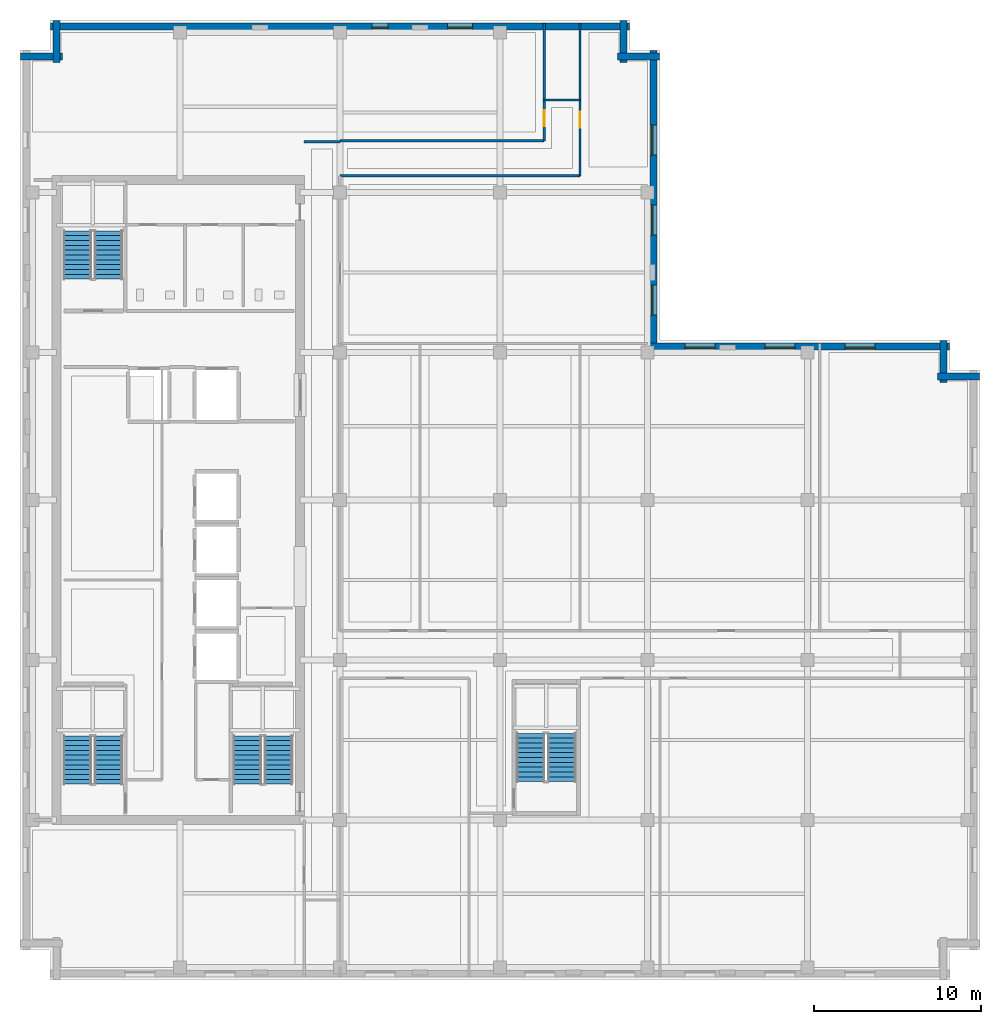
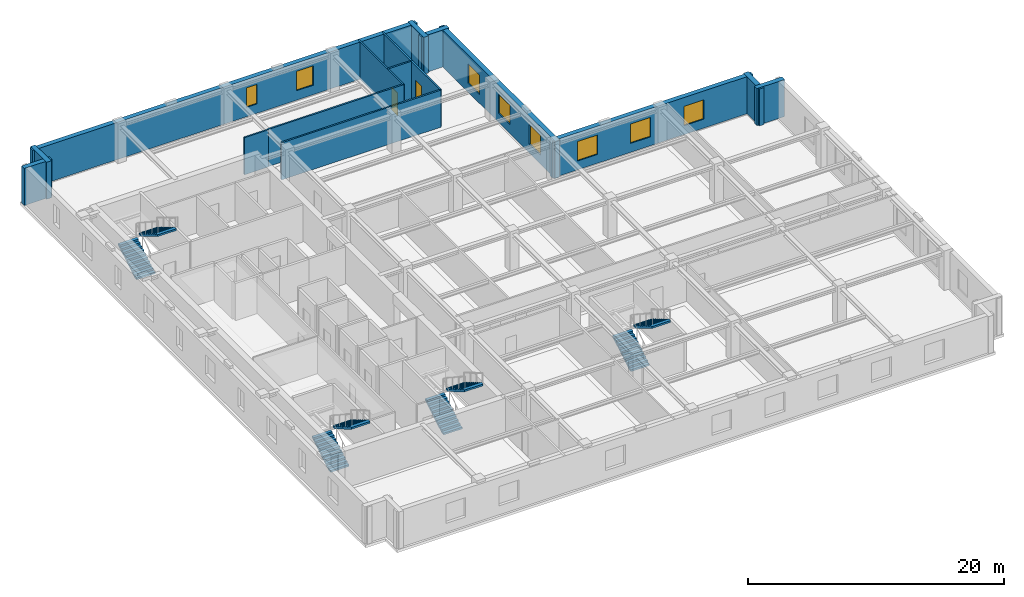
# One storey, part 6 of 10: 15 walls, 8 stair flights, 8 windows, 2 doors, 10 openings, 4 elements without a shape of their own.
"""IFC4 building model written with IfcOpenShell, lengths in metres."""

from ifc_helpers import new_model, si_unit, direction, frame, frame_2d, origin, place, context, subcontext, project, spatial, polyline, rectangle, outline, extrude, material, layer, layer_set, type_object, element, fill, aggregate, save


model = new_model("IFC4")

# Units and contexts
model_context = context("Model", 3, precision=1e-05, world=origin(), true_north=direction((0.0, 1.0)))
body_context = subcontext(model_context, "Body", "Model", "MODEL_VIEW")
ifc_project = project(units=[si_unit("LENGTHUNIT", "METRE"), si_unit("AREAUNIT", "SQUARE_METRE"), si_unit("VOLUMEUNIT", "CUBIC_METRE"), si_unit("PLANEANGLEUNIT", "RADIAN"), si_unit("MASSUNIT", "GRAM", prefix="KILO")], contexts=[model_context])

# Site, building, storey
site_placement = place(None, origin())
site = spatial("IfcSite", under=ifc_project, at=site_placement, CompositionType="ELEMENT")
building_placement = place(site_placement, origin())
building = spatial("IfcBuilding", under=site, at=building_placement, Name="Norrvale University Quadrangle", CompositionType="ELEMENT")
storey_placement = place(building_placement, frame((0.0, 0.0, 233.199951171875)))
storey = spatial("IfcBuildingStorey", under=building, at=storey_placement, Name="L59", CompositionType="ELEMENT", Elevation=233.199951171875)

# Walls
ifc_material_1 = material(Name="Buff Norman Clay Brick Masonry", Category="masonry")
ifc_layer_1 = layer(ifc_material_1, 0.419921875, Name="Buff Norman Clay Brick Masonry")
ifc_layer_set_1 = layer_set([ifc_layer_1], Name="Buff Norman Clay Brick Masonry")
wall_type_1 = type_object("IfcWallType", Name="Wall Buff Brick 420", PredefinedType="SOLIDWALL", material=ifc_layer_set_1)
for number, where, z_axis, x_axis, name in (
    (1, (57.56005859375, 36.2099609375, 0.0), (0.0, 0.0, 1.0), (-1.0, 0.0, 0.0), "Exterior Brick Facade Wall L59-05.1"),
    (2, (55.409912109375, 35.860107421875, 0.0), (0.0, 0.0, 1.0), (0.0, 1.0, 0.0), "Exterior Brick Facade Wall L59-06.1"),
):
    element("IfcWall", number, at=place(storey_placement, frame(where, z_axis=z_axis, x_axis=x_axis)), inside=storey, type_object=wall_type_1, Name=name, PredefinedType="SOLIDWALL", context=body_context, shape_type="SweptSolid", body=[
        extrude(rectangle(XDim=2.5, YDim=0.419921875, at=frame_2d((1.25, 0.0))), origin(), (0.0, 0.0, 1.0), 3.5400390625),
    ])

# Wall, openings, windows
wall_1_placement = place(storey_placement, frame((55.760009765625, 38.010009765625, 0.0), z_axis=(0.0, 0.0, 1.0), x_axis=(-1.0, 0.0, 0.0)))
wall_1 = element("IfcWall", 3, at=wall_1_placement, inside=storey, type_object=wall_type_1, Name="Exterior Brick Facade Wall L59-07.1", PredefinedType="SOLIDWALL", context=body_context, shape_type="SweptSolid", body=[
    extrude(rectangle(XDim=18.10009765625, YDim=0.419921875, at=frame_2d((9.050048828125, 0.0))), origin(), (0.0, 0.0, 1.0), 3.5400390625),
])
opening_1_placement = place(wall_1_placement, frame((4.4599609375, 0.0, 0.85009765625)))
opening_1 = element("IfcOpeningElement", 4, at=opening_1_placement, cuts=wall_1, Name="Opening W01", PredefinedType="OPENING", context=body_context, shape_type="SweptSolid", body=[
    extrude(rectangle(XDim=1.800048828125, YDim=1.85009765625, at=frame_2d((0.89990234375, 0.925048828125))), frame((0.0, 0.221923828125, 0.0), z_axis=(0.0, -1.0, 0.0), x_axis=(1.0, 0.0, 0.0)), (0.0, 0.0, 1.0), 0.44384765625),
])
opening_2_placement = place(wall_1_placement, frame((9.260009765625, 0.0, 0.85009765625)))
opening_2 = element("IfcOpeningElement", 5, at=opening_2_placement, cuts=wall_1, Name="Opening W01", PredefinedType="OPENING", context=body_context, shape_type="SweptSolid", body=[
    extrude(rectangle(XDim=1.800048828125, YDim=1.85009765625, at=frame_2d((0.89990234375, 0.925048828125))), frame((0.0, 0.221923828125, 0.0), z_axis=(0.0, -1.0, 0.0), x_axis=(1.0, 0.0, 0.0)), (0.0, 0.0, 1.0), 0.44384765625),
])
opening_3_placement = place(wall_1_placement, frame((14.06005859375, 0.0, 0.85009765625)))
opening_3 = element("IfcOpeningElement", 6, at=opening_3_placement, cuts=wall_1, Name="Opening W01", PredefinedType="OPENING", context=body_context, shape_type="SweptSolid", body=[
    extrude(rectangle(XDim=1.800048828125, YDim=1.85009765625, at=frame_2d((0.89990234375, 0.925048828125))), frame((0.0, 0.221923828125, 0.0), z_axis=(0.0, -1.0, 0.0), x_axis=(1.0, 0.0, 0.0)), (0.0, 0.0, 1.0), 0.44384765625),
])
ifc_material_2 = material(Name="Triple Low-E Argon Glazing", Category="glass")
window_type_1 = type_object("IfcWindowType", Name="Window Academic 1800x2300", PartitioningType="DOUBLE_PANEL_VERTICAL", PredefinedType="WINDOW", material=ifc_material_2)
window_1_placement = place(opening_1_placement, origin())
window_1 = element("IfcWindow", 7, at=window_1_placement, inside=storey, type_object=window_type_1, Name="Window Academic 1800x2300 WIN-L59-E07-1-01", OverallHeight=1.85009765625, OverallWidth=1.800048828125, PartitioningType="DOUBLE_PANEL_VERTICAL", PredefinedType="WINDOW", context=body_context, shape_type="SweptSolid", body=[
    extrude(rectangle(XDim=1.800048828125, YDim=1.85009765625, at=frame_2d((0.89990234375, 0.925048828125))), frame((0.0, 0.110107421875, 0.0), z_axis=(0.0, -1.0, 0.0), x_axis=(1.0, 0.0, 0.0)), (0.0, 0.0, 1.0), 0.06005859375),
])
fill(opening_1, window_1)
window_2_placement = place(opening_2_placement, origin())
window_2 = element("IfcWindow", 8, at=window_2_placement, inside=storey, type_object=window_type_1, Name="Window Academic 1800x2300 WIN-L59-E07-1-02", OverallHeight=1.85009765625, OverallWidth=1.800048828125, PartitioningType="DOUBLE_PANEL_VERTICAL", PredefinedType="WINDOW", context=body_context, shape_type="SweptSolid", body=[
    extrude(rectangle(XDim=1.800048828125, YDim=1.85009765625, at=frame_2d((0.89990234375, 0.925048828125))), frame((0.0, 0.110107421875, 0.0), z_axis=(0.0, -1.0, 0.0), x_axis=(1.0, 0.0, 0.0)), (0.0, 0.0, 1.0), 0.06005859375),
])
fill(opening_2, window_2)
window_3_placement = place(opening_3_placement, origin())
window_3 = element("IfcWindow", 9, at=window_3_placement, inside=storey, type_object=window_type_1, Name="Window Academic 1800x2300 WIN-L59-E07-1-03", OverallHeight=1.85009765625, OverallWidth=1.800048828125, PartitioningType="DOUBLE_PANEL_VERTICAL", PredefinedType="WINDOW", context=body_context, shape_type="SweptSolid", body=[
    extrude(rectangle(XDim=1.800048828125, YDim=1.85009765625, at=frame_2d((0.89990234375, 0.925048828125))), frame((0.0, 0.110107421875, 0.0), z_axis=(0.0, -1.0, 0.0), x_axis=(1.0, 0.0, 0.0)), (0.0, 0.0, 1.0), 0.06005859375),
])
fill(opening_3, window_3)

wall_2_placement = place(storey_placement, frame((38.010009765625, 37.659912109375, 0.0), z_axis=(0.0, 0.0, 1.0), x_axis=(0.0, 1.0, 0.0)))
wall_2 = element("IfcWall", 10, at=wall_2_placement, inside=storey, type_object=wall_type_1, Name="Exterior Brick Facade Wall L59-08.1", PredefinedType="SOLIDWALL", context=body_context, shape_type="SweptSolid", body=[
    extrude(rectangle(XDim=18.10009765625, YDim=0.419921875, at=frame_2d((9.050048828125, 0.0))), origin(), (0.0, 0.0, 1.0), 3.5400390625),
])
opening_4_placement = place(wall_2_placement, frame((2.239990234375, 0.0, 0.85009765625)))
opening_4 = element("IfcOpeningElement", 11, at=opening_4_placement, cuts=wall_2, Name="Opening W01", PredefinedType="OPENING", context=body_context, shape_type="SweptSolid", body=[
    extrude(rectangle(XDim=1.800048828125, YDim=1.85009765625, at=frame_2d((0.89990234375, 0.925048828125))), frame((0.0, 0.221923828125, 0.0), z_axis=(0.0, -1.0, 0.0), x_axis=(1.0, 0.0, 0.0)), (0.0, 0.0, 1.0), 0.44384765625),
])
opening_5_placement = place(wall_2_placement, frame((7.0400390625, 0.0, 0.85009765625)))
opening_5 = element("IfcOpeningElement", 12, at=opening_5_placement, cuts=wall_2, Name="Opening W01", PredefinedType="OPENING", context=body_context, shape_type="SweptSolid", body=[
    extrude(rectangle(XDim=1.800048828125, YDim=1.85009765625, at=frame_2d((0.89990234375, 0.925048828125))), frame((0.0, 0.221923828125, 0.0), z_axis=(0.0, -1.0, 0.0), x_axis=(1.0, 0.0, 0.0)), (0.0, 0.0, 1.0), 0.44384765625),
])
opening_6_placement = place(wall_2_placement, frame((11.840087890625, 0.0, 0.85009765625)))
opening_6 = element("IfcOpeningElement", 13, at=opening_6_placement, cuts=wall_2, Name="Opening W01", PredefinedType="OPENING", context=body_context, shape_type="SweptSolid", body=[
    extrude(rectangle(XDim=1.800048828125, YDim=1.85009765625, at=frame_2d((0.89990234375, 0.925048828125))), frame((0.0, 0.221923828125, 0.0), z_axis=(0.0, -1.0, 0.0), x_axis=(1.0, 0.0, 0.0)), (0.0, 0.0, 1.0), 0.44384765625),
])
window_4_placement = place(opening_4_placement, origin())
window_4 = element("IfcWindow", 14, at=window_4_placement, inside=storey, type_object=window_type_1, Name="Window Academic 1800x2300 WIN-L59-E08-1-01", OverallHeight=1.85009765625, OverallWidth=1.800048828125, PartitioningType="DOUBLE_PANEL_VERTICAL", PredefinedType="WINDOW", context=body_context, shape_type="SweptSolid", body=[
    extrude(rectangle(XDim=1.800048828125, YDim=1.85009765625, at=frame_2d((0.89990234375, 0.925048828125))), frame((0.0, 0.110107421875, 0.0), z_axis=(0.0, -1.0, 0.0), x_axis=(1.0, 0.0, 0.0)), (0.0, 0.0, 1.0), 0.06005859375),
])
fill(opening_4, window_4)
window_5_placement = place(opening_5_placement, origin())
window_5 = element("IfcWindow", 15, at=window_5_placement, inside=storey, type_object=window_type_1, Name="Window Academic 1800x2300 WIN-L59-E08-1-02", OverallHeight=1.85009765625, OverallWidth=1.800048828125, PartitioningType="DOUBLE_PANEL_VERTICAL", PredefinedType="WINDOW", context=body_context, shape_type="SweptSolid", body=[
    extrude(rectangle(XDim=1.800048828125, YDim=1.85009765625, at=frame_2d((0.89990234375, 0.925048828125))), frame((0.0, 0.110107421875, 0.0), z_axis=(0.0, -1.0, 0.0), x_axis=(1.0, 0.0, 0.0)), (0.0, 0.0, 1.0), 0.06005859375),
])
fill(opening_5, window_5)
window_6_placement = place(opening_6_placement, origin())
window_6 = element("IfcWindow", 16, at=window_6_placement, inside=storey, type_object=window_type_1, Name="Window Academic 1800x2300 WIN-L59-E08-1-03", OverallHeight=1.85009765625, OverallWidth=1.800048828125, PartitioningType="DOUBLE_PANEL_VERTICAL", PredefinedType="WINDOW", context=body_context, shape_type="SweptSolid", body=[
    extrude(rectangle(XDim=1.800048828125, YDim=1.85009765625, at=frame_2d((0.89990234375, 0.925048828125))), frame((0.0, 0.110107421875, 0.0), z_axis=(0.0, -1.0, 0.0), x_axis=(1.0, 0.0, 0.0)), (0.0, 0.0, 1.0), 0.06005859375),
])
fill(opening_6, window_6)

# Walls
for number, where, z_axis, x_axis, name in (
    (17, (38.360107421875, 55.409912109375, 0.0), (0.0, 0.0, 1.0), (-1.0, 0.0, 0.0), "Exterior Brick Facade Wall L59-09.1"),
    (18, (36.2099609375, 55.06005859375, 0.0), (0.0, 0.0, 1.0), (0.0, 1.0, 0.0), "Exterior Brick Facade Wall L59-10.1"),
):
    element("IfcWall", number, at=place(storey_placement, frame(where, z_axis=z_axis, x_axis=x_axis)), inside=storey, type_object=wall_type_1, Name=name, PredefinedType="SOLIDWALL", context=body_context, shape_type="SweptSolid", body=[
        extrude(rectangle(XDim=2.5, YDim=0.419921875, at=frame_2d((1.25, 0.0))), origin(), (0.0, 0.0, 1.0), 3.5400390625),
    ])

# Wall, openings, windows
wall_3_placement = place(storey_placement, frame((36.56005859375, 57.2099609375, 0.0), z_axis=(0.0, 0.0, 1.0), x_axis=(-1.0, 0.0, 0.0)))
wall_3 = element("IfcWall", 19, at=wall_3_placement, inside=storey, type_object=wall_type_1, Name="Exterior Brick Facade Wall L59-11.1", PredefinedType="SOLIDWALL", context=body_context, shape_type="SweptSolid", body=[
    extrude(rectangle(XDim=34.719970703125, YDim=0.419921875, at=frame_2d((17.35986328125, 0.0))), origin(), (0.0, 0.0, 1.0), 3.5400390625),
])
opening_7_placement = place(wall_3_placement, frame((9.409912109375, 0.0, 0.89990234375)))
opening_7 = element("IfcOpeningElement", 20, at=opening_7_placement, cuts=wall_3, Name="Opening W03", PredefinedType="OPENING", context=body_context, shape_type="SweptSolid", body=[
    extrude(rectangle(XDim=1.5, YDim=1.85009765625, at=frame_2d((0.75, 0.925048828125))), frame((0.0, 0.221923828125, 0.0), z_axis=(0.0, -1.0, 0.0), x_axis=(1.0, 0.0, 0.0)), (0.0, 0.0, 1.0), 0.44384765625),
])
opening_8_placement = place(wall_3_placement, frame((14.485107421875, 0.0, 0.89990234375)))
opening_8 = element("IfcOpeningElement", 21, at=opening_8_placement, cuts=wall_3, Name="Opening W04", PredefinedType="OPENING", context=body_context, shape_type="SweptSolid", body=[
    extrude(rectangle(XDim=0.949951171875, YDim=1.85009765625, at=frame_2d((0.47509765625, 0.925048828125))), frame((0.0, 0.221923828125, 0.0), z_axis=(0.0, -1.0, 0.0), x_axis=(1.0, 0.0, 0.0)), (0.0, 0.0, 1.0), 0.44384765625),
])
window_type_2 = type_object("IfcWindowType", Name="Window Narrow Pier 950x2300", PartitioningType="SINGLE_PANEL", PredefinedType="WINDOW", material=ifc_material_2)
window_7_placement = place(opening_8_placement, origin())
window_7 = element("IfcWindow", 22, at=window_7_placement, inside=storey, type_object=window_type_2, Name="Window Narrow Pier 950x2300 WIN-L59-E11-1-02", OverallHeight=1.85009765625, OverallWidth=0.949951171875, PartitioningType="SINGLE_PANEL", PredefinedType="WINDOW", context=body_context, shape_type="SweptSolid", body=[
    extrude(rectangle(XDim=0.949951171875, YDim=1.85009765625, at=frame_2d((0.47509765625, 0.925048828125))), frame((0.0, 0.110107421875, 0.0), z_axis=(0.0, -1.0, 0.0), x_axis=(1.0, 0.0, 0.0)), (0.0, 0.0, 1.0), 0.06005859375),
])
fill(opening_8, window_7)
window_type_3 = type_object("IfcWindowType", Name="Window Studio 1500x2300", PartitioningType="DOUBLE_PANEL_VERTICAL", PredefinedType="WINDOW", material=ifc_material_2)
window_8_placement = place(opening_7_placement, origin())
window_8 = element("IfcWindow", 23, at=window_8_placement, inside=storey, type_object=window_type_3, Name="Window Studio 1500x2300 WIN-L59-E11-1-01", OverallHeight=1.85009765625, OverallWidth=1.5, PartitioningType="DOUBLE_PANEL_VERTICAL", PredefinedType="WINDOW", context=body_context, shape_type="SweptSolid", body=[
    extrude(rectangle(XDim=1.5, YDim=1.85009765625, at=frame_2d((0.75, 0.925048828125))), frame((0.0, 0.110107421875, 0.0), z_axis=(0.0, -1.0, 0.0), x_axis=(1.0, 0.0, 0.0)), (0.0, 0.0, 1.0), 0.06005859375),
])
fill(opening_7, window_8)

# Walls
for number, where, z_axis, x_axis, name in (
    (24, (2.18994140625, 57.56005859375, 0.0), (0.0, 0.0, 1.0), (0.0, -1.0, 0.0), "Exterior Brick Facade Wall L59-12.1"),
    (25, (2.5400390625, 55.409912109375, 0.0), (0.0, 0.0, 1.0), (-1.0, 0.0, 0.0), "Exterior Brick Facade Wall L59-13.1"),
):
    element("IfcWall", number, at=place(storey_placement, frame(where, z_axis=z_axis, x_axis=x_axis)), inside=storey, type_object=wall_type_1, Name=name, PredefinedType="SOLIDWALL", context=body_context, shape_type="SweptSolid", body=[
        extrude(rectangle(XDim=2.5, YDim=0.419921875, at=frame_2d((1.25, 0.0))), origin(), (0.0, 0.0, 1.0), 3.5400390625),
    ])
ifc_material_3 = material(Name="Fire-Rated Gypsum Stud Partition")
ifc_layer_2 = layer(ifc_material_3, 0.14990234375, Name="Fire-Rated Gypsum Stud Partition")
ifc_layer_set_2 = layer_set([ifc_layer_2], Name="Fire-Rated Gypsum Stud Partition")
wall_type_2 = type_object("IfcWallType", Name="Wall Gypsum Corridor 150", PredefinedType="PARTITIONING", material=ifc_layer_set_2)
wall_4_placement = place(storey_placement, frame((17.050048828125, 50.300048828125, 0.0), z_axis=(0.0, 0.0, 1.0), x_axis=(1.0, 0.0, 0.0)))
element("IfcWall", 26, at=wall_4_placement, inside=storey, type_object=wall_type_2, Name="Interior Partition WL-L59-CSP-N", PredefinedType="PARTITIONING", context=body_context, shape_type="SweptSolid", body=[
    extrude(rectangle(XDim=2.14990234375, YDim=0.14990234375, at=frame_2d((1.074951171875, 0.0))), origin(), (0.0, 0.0, 1.0), 3.5400390625),
])
wall_5_placement = place(storey_placement, frame((19.199951171875, 48.25, 0.0), z_axis=(0.0, 0.0, 1.0), x_axis=(1.0, 0.0, 0.0)))
element("IfcWall", 27, at=wall_5_placement, inside=storey, type_object=wall_type_2, Name="Interior Partition WL-L59-JOGS", PredefinedType="PARTITIONING", context=body_context, shape_type="SweptSolid", body=[
    extrude(rectangle(XDim=14.400146484375, YDim=0.14990234375, at=frame_2d((7.2001953125, 0.0))), origin(), (0.0, 0.0, 1.0), 3.5400390625),
])
wall_6_placement = place(storey_placement, frame((19.199951171875, 50.35009765625, 0.0), z_axis=(0.0, 0.0, 1.0), x_axis=(1.0, 0.0, 0.0)))
element("IfcWall", 28, at=wall_6_placement, inside=storey, type_object=wall_type_2, Name="Interior Partition WL-L59-JOGN", PredefinedType="PARTITIONING", context=body_context, shape_type="SweptSolid", body=[
    extrude(rectangle(XDim=12.25, YDim=0.14990234375, at=frame_2d((6.125, 0.0))), origin(), (0.0, 0.0, 1.0), 3.5400390625),
])
wall_7_placement = place(storey_placement, frame((31.449951171875, 52.800048828125, 0.0), z_axis=(0.0, 0.0, 1.0), x_axis=(1.0, 0.0, 0.0)))
element("IfcWall", 29, at=wall_7_placement, inside=storey, type_object=wall_type_2, Name="Interior Partition WL-L59-JOGEND", PredefinedType="PARTITIONING", context=body_context, shape_type="SweptSolid", body=[
    extrude(rectangle(XDim=2.150146484375, YDim=0.14990234375, at=frame_2d((1.0751953125, 0.0))), origin(), (0.0, 0.0, 1.0), 3.5400390625),
])

# Wall, opening, door
wall_8_placement = place(storey_placement, frame((33.60009765625, 48.25, 0.0), z_axis=(0.0, 0.0, 1.0), x_axis=(0.0, 1.0, 0.0)))
wall_8 = element("IfcWall", 30, at=wall_8_placement, inside=storey, type_object=wall_type_2, Name="Interior Partition WL-L59-NECW", PredefinedType="PARTITIONING", context=body_context, shape_type="SweptSolid", body=[
    extrude(rectangle(XDim=9.1298828125, YDim=0.14990234375, at=frame_2d((4.56494140625, 0.0))), origin(), (0.0, 0.0, 1.0), 3.5400390625),
])
opening_9_placement = place(wall_8_placement, frame((2.89990234375, 0.0, 0.0)))
opening_9 = element("IfcOpeningElement", 31, at=opening_9_placement, cuts=wall_8, Name="Opening D07", PredefinedType="OPENING", context=body_context, shape_type="SweptSolid", body=[
    extrude(rectangle(XDim=0.949951171875, YDim=2.14990234375, at=frame_2d((0.47509765625, 1.074951171875))), frame((0.0, 0.0869140625, 0.0), z_axis=(0.0, -1.0, 0.0), x_axis=(1.0, 0.0, 0.0)), (0.0, 0.0, 1.0), 0.173828125),
])
ifc_material_4 = material(Name="Solid-Core Maple Door", Category="wood")
door_type = type_object("IfcDoorType", Name="Door Office 950x2150", OperationType="NOTDEFINED", PredefinedType="DOOR", material=ifc_material_4)
door_1_placement = place(opening_9_placement, origin())
door_1 = element("IfcDoor", 32, at=door_1_placement, inside=storey, type_object=door_type, Name="Door Office 950x2150 DR-L59-NE01", OperationType="SINGLE_SWING_RIGHT", OverallHeight=2.14990234375, OverallWidth=0.949951171875, PredefinedType="DOOR", context=body_context, shape_type="SweptSolid", body=[
    extrude(rectangle(XDim=0.949951171875, YDim=2.14990234375, at=frame_2d((0.47509765625, 1.074951171875))), frame((0.0, 0.02490234375, 0.0), z_axis=(0.0, -1.0, 0.0), x_axis=(1.0, 0.0, 0.0)), (0.0, 0.0, 1.0), 0.050048828125),
])
fill(opening_9, door_1)

wall_9_placement = place(storey_placement, frame((31.449951171875, 50.35009765625, 0.0), z_axis=(0.0, 0.0, 1.0), x_axis=(0.0, 1.0, 0.0)))
wall_9 = element("IfcWall", 33, at=wall_9_placement, inside=storey, type_object=wall_type_2, Name="Interior Partition WL-L59-NWCW", PredefinedType="PARTITIONING", context=body_context, shape_type="SweptSolid", body=[
    extrude(rectangle(XDim=7.02978515625, YDim=0.14990234375, at=frame_2d((3.514892578125, 0.0))), origin(), (0.0, 0.0, 1.0), 3.5400390625),
])
opening_10_placement = place(wall_9_placement, frame((0.875, 0.0, 0.0)))
opening_10 = element("IfcOpeningElement", 34, at=opening_10_placement, cuts=wall_9, Name="Opening D07", PredefinedType="OPENING", context=body_context, shape_type="SweptSolid", body=[
    extrude(rectangle(XDim=0.949951171875, YDim=2.14990234375, at=frame_2d((0.47509765625, 1.074951171875))), frame((0.0, 0.0869140625, 0.0), z_axis=(0.0, -1.0, 0.0), x_axis=(1.0, 0.0, 0.0)), (0.0, 0.0, 1.0), 0.173828125),
])
door_2_placement = place(opening_10_placement, origin())
door_2 = element("IfcDoor", 35, at=door_2_placement, inside=storey, type_object=door_type, Name="Door Office 950x2150 DR-L59-NW01", OperationType="SINGLE_SWING_RIGHT", OverallHeight=2.14990234375, OverallWidth=0.949951171875, PredefinedType="DOOR", context=body_context, shape_type="SweptSolid", body=[
    extrude(rectangle(XDim=0.949951171875, YDim=2.14990234375, at=frame_2d((0.47509765625, 1.074951171875))), frame((0.0, 0.02490234375, 0.0), z_axis=(0.0, -1.0, 0.0), x_axis=(1.0, 0.0, 0.0)), (0.0, 0.0, 1.0), 0.050048828125),
])
fill(opening_10, door_2)

# Stair, stair flights
ifc_material_5 = material(Name="Concrete C40/50", Category="concrete")
stair_type = type_object("IfcStairType", Name="Stair Tower Typ 3800", PredefinedType="TWO_STRAIGHT_RUN_STAIR", material=ifc_material_5)
stair_1_placement = place(storey_placement, origin())
stair_1 = element("IfcStair", 36, at=stair_1_placement, inside=storey, type_object=stair_type, Name="Exit Stair ST-01 L59", PredefinedType="TWO_STRAIGHT_RUN_STAIR")
stair_flight_type = type_object("IfcStairFlightType", Name="Flight Typ 1500", PredefinedType="STRAIGHT", material=ifc_material_5)
stair_flight_1_placement = place(storey_placement, frame((3.429931640625, 11.75, 0.0), z_axis=(0.0, 0.0, 1.0), x_axis=(0.0, 1.0, 0.0)))
stair_flight_1 = element("IfcStairFlight", 37, at=stair_flight_1_placement, type_object=stair_flight_type, Name="Exit Stair ST-01 L59 Lower Flight", NumberOfRisers=11, NumberOfTreads=10, PredefinedType="STRAIGHT", RiserHeight=0.172727, TreadLength=0.29, context=body_context, shape_type="SweptSolid", body=[
    extrude(outline(polyline([(0.0, 0.0), (0.0, 0.172607421875), (0.2900390625, 0.172607421875), (0.2900390625, 0.345458984375), (0.580078125, 0.345458984375), (0.580078125, 0.51806640625), (0.8701171875, 0.51806640625), (0.8701171875, 0.69091796875), (1.159912109375, 0.69091796875), (1.159912109375, 0.863525390625), (1.449951171875, 0.863525390625), (1.449951171875, 1.036376953125), (1.739990234375, 1.036376953125), (1.739990234375, 1.208984375), (2.030029296875, 1.208984375), (2.030029296875, 1.3818359375), (2.320068359375, 1.3818359375), (2.320068359375, 1.554443359375), (2.610107421875, 1.554443359375), (2.610107421875, 1.727294921875), (2.89990234375, 1.727294921875), (2.89990234375, 1.89990234375), (2.89990234375, 1.552734375), (0.29296875, 0.0), (0.0, 0.0)])), frame((0.0, 0.83984375, 0.0), z_axis=(0.0, -1.0, 0.0), x_axis=(1.0, 0.0, 0.0)), (0.0, 0.0, 1.0), 1.679931640625),
])
stair_flight_2_placement = place(storey_placement, frame((5.320068359375, 14.64990234375, 1.900146484375), z_axis=(0.0, 0.0, 1.0), x_axis=(0.0, -1.0, 0.0)))
stair_flight_2 = element("IfcStairFlight", 38, at=stair_flight_2_placement, type_object=stair_flight_type, Name="Exit Stair ST-01 L59 Upper Flight", NumberOfRisers=11, NumberOfTreads=10, PredefinedType="STRAIGHT", RiserHeight=0.172727, TreadLength=0.29, context=body_context, shape_type="SweptSolid", body=[
    extrude(outline(polyline([(0.0, 0.0), (0.0, 0.172607421875), (0.2900390625, 0.172607421875), (0.2900390625, 0.345458984375), (0.580078125, 0.345458984375), (0.580078125, 0.51806640625), (0.8701171875, 0.51806640625), (0.8701171875, 0.69091796875), (1.159912109375, 0.69091796875), (1.159912109375, 0.863525390625), (1.449951171875, 0.863525390625), (1.449951171875, 1.036376953125), (1.739990234375, 1.036376953125), (1.739990234375, 1.208984375), (2.030029296875, 1.208984375), (2.030029296875, 1.3818359375), (2.320068359375, 1.3818359375), (2.320068359375, 1.554443359375), (2.610107421875, 1.554443359375), (2.610107421875, 1.727294921875), (2.89990234375, 1.727294921875), (2.89990234375, 1.89990234375), (2.89990234375, 1.552734375), (0.29296875, 0.0), (0.0, 0.0)])), frame((0.0, 0.83984375, 0.0), z_axis=(0.0, -1.0, 0.0), x_axis=(1.0, 0.0, 0.0)), (0.0, 0.0, 1.0), 1.679931640625),
])
aggregate(stair_1, [stair_flight_1, stair_flight_2])

stair_2_placement = place(storey_placement, origin())
stair_2 = element("IfcStair", 39, at=stair_2_placement, inside=storey, type_object=stair_type, Name="Exit Stair ST-02 L59", PredefinedType="TWO_STRAIGHT_RUN_STAIR")
stair_flight_3_placement = place(storey_placement, frame((3.429931640625, 42.050048828125, 0.0), z_axis=(0.0, 0.0, 1.0), x_axis=(0.0, 1.0, 0.0)))
stair_flight_3 = element("IfcStairFlight", 40, at=stair_flight_3_placement, type_object=stair_flight_type, Name="Exit Stair ST-02 L59 Lower Flight", NumberOfRisers=11, NumberOfTreads=10, PredefinedType="STRAIGHT", RiserHeight=0.172727, TreadLength=0.29, context=body_context, shape_type="SweptSolid", body=[
    extrude(outline(polyline([(0.0, 0.0), (0.0, 0.172607421875), (0.2900390625, 0.172607421875), (0.2900390625, 0.345458984375), (0.580078125, 0.345458984375), (0.580078125, 0.51806640625), (0.8701171875, 0.51806640625), (0.8701171875, 0.69091796875), (1.159912109375, 0.69091796875), (1.159912109375, 0.863525390625), (1.449951171875, 0.863525390625), (1.449951171875, 1.036376953125), (1.739990234375, 1.036376953125), (1.739990234375, 1.208984375), (2.030029296875, 1.208984375), (2.030029296875, 1.3818359375), (2.320068359375, 1.3818359375), (2.320068359375, 1.554443359375), (2.610107421875, 1.554443359375), (2.610107421875, 1.727294921875), (2.89990234375, 1.727294921875), (2.89990234375, 1.89990234375), (2.89990234375, 1.552734375), (0.29296875, 0.0), (0.0, 0.0)])), frame((0.0, 0.83984375, 0.0), z_axis=(0.0, -1.0, 0.0), x_axis=(1.0, 0.0, 0.0)), (0.0, 0.0, 1.0), 1.679931640625),
])
stair_flight_4_placement = place(storey_placement, frame((5.320068359375, 44.949951171875, 1.900146484375), z_axis=(0.0, 0.0, 1.0), x_axis=(0.0, -1.0, 0.0)))
stair_flight_4 = element("IfcStairFlight", 41, at=stair_flight_4_placement, type_object=stair_flight_type, Name="Exit Stair ST-02 L59 Upper Flight", NumberOfRisers=11, NumberOfTreads=10, PredefinedType="STRAIGHT", RiserHeight=0.172727, TreadLength=0.29, context=body_context, shape_type="SweptSolid", body=[
    extrude(outline(polyline([(0.0, 0.0), (0.0, 0.172607421875), (0.2900390625, 0.172607421875), (0.2900390625, 0.345458984375), (0.580078125, 0.345458984375), (0.580078125, 0.51806640625), (0.8701171875, 0.51806640625), (0.8701171875, 0.69091796875), (1.159912109375, 0.69091796875), (1.159912109375, 0.863525390625), (1.449951171875, 0.863525390625), (1.449951171875, 1.036376953125), (1.739990234375, 1.036376953125), (1.739990234375, 1.208984375), (2.030029296875, 1.208984375), (2.030029296875, 1.3818359375), (2.320068359375, 1.3818359375), (2.320068359375, 1.554443359375), (2.610107421875, 1.554443359375), (2.610107421875, 1.727294921875), (2.89990234375, 1.727294921875), (2.89990234375, 1.89990234375), (2.89990234375, 1.552734375), (0.29296875, 0.0), (0.0, 0.0)])), frame((0.0, 0.83984375, 0.0), z_axis=(0.0, -1.0, 0.0), x_axis=(1.0, 0.0, 0.0)), (0.0, 0.0, 1.0), 1.679931640625),
])
aggregate(stair_2, [stair_flight_3, stair_flight_4])

stair_3_placement = place(storey_placement, origin())
stair_3 = element("IfcStair", 42, at=stair_3_placement, inside=storey, type_object=stair_type, Name="Exit Stair ST-03 L59", PredefinedType="TWO_STRAIGHT_RUN_STAIR")
stair_flight_5_placement = place(storey_placement, frame((13.6298828125, 11.75, 0.0), z_axis=(0.0, 0.0, 1.0), x_axis=(0.0, 1.0, 0.0)))
stair_flight_5 = element("IfcStairFlight", 43, at=stair_flight_5_placement, type_object=stair_flight_type, Name="Exit Stair ST-03 L59 Lower Flight", NumberOfRisers=11, NumberOfTreads=10, PredefinedType="STRAIGHT", RiserHeight=0.172727, TreadLength=0.29, context=body_context, shape_type="SweptSolid", body=[
    extrude(outline(polyline([(0.0, 0.0), (0.0, 0.172607421875), (0.2900390625, 0.172607421875), (0.2900390625, 0.345458984375), (0.580078125, 0.345458984375), (0.580078125, 0.51806640625), (0.8701171875, 0.51806640625), (0.8701171875, 0.69091796875), (1.159912109375, 0.69091796875), (1.159912109375, 0.863525390625), (1.449951171875, 0.863525390625), (1.449951171875, 1.036376953125), (1.739990234375, 1.036376953125), (1.739990234375, 1.208984375), (2.030029296875, 1.208984375), (2.030029296875, 1.3818359375), (2.320068359375, 1.3818359375), (2.320068359375, 1.554443359375), (2.610107421875, 1.554443359375), (2.610107421875, 1.727294921875), (2.89990234375, 1.727294921875), (2.89990234375, 1.89990234375), (2.89990234375, 1.552734375), (0.29296875, 0.0), (0.0, 0.0)])), frame((0.0, 0.83984375, 0.0), z_axis=(0.0, -1.0, 0.0), x_axis=(1.0, 0.0, 0.0)), (0.0, 0.0, 1.0), 1.679931640625),
])
stair_flight_6_placement = place(storey_placement, frame((15.52001953125, 14.64990234375, 1.900146484375), z_axis=(0.0, 0.0, 1.0), x_axis=(0.0, -1.0, 0.0)))
stair_flight_6 = element("IfcStairFlight", 44, at=stair_flight_6_placement, type_object=stair_flight_type, Name="Exit Stair ST-03 L59 Upper Flight", NumberOfRisers=11, NumberOfTreads=10, PredefinedType="STRAIGHT", RiserHeight=0.172727, TreadLength=0.29, context=body_context, shape_type="SweptSolid", body=[
    extrude(outline(polyline([(0.0, 0.0), (0.0, 0.172607421875), (0.2900390625, 0.172607421875), (0.2900390625, 0.345458984375), (0.580078125, 0.345458984375), (0.580078125, 0.51806640625), (0.8701171875, 0.51806640625), (0.8701171875, 0.69091796875), (1.159912109375, 0.69091796875), (1.159912109375, 0.863525390625), (1.449951171875, 0.863525390625), (1.449951171875, 1.036376953125), (1.739990234375, 1.036376953125), (1.739990234375, 1.208984375), (2.030029296875, 1.208984375), (2.030029296875, 1.3818359375), (2.320068359375, 1.3818359375), (2.320068359375, 1.554443359375), (2.610107421875, 1.554443359375), (2.610107421875, 1.727294921875), (2.89990234375, 1.727294921875), (2.89990234375, 1.89990234375), (2.89990234375, 1.552734375), (0.29296875, 0.0), (0.0, 0.0)])), frame((0.0, 0.83984375, 0.0), z_axis=(0.0, -1.0, 0.0), x_axis=(1.0, 0.0, 0.0)), (0.0, 0.0, 1.0), 1.679931640625),
])
aggregate(stair_3, [stair_flight_5, stair_flight_6])

stair_4_placement = place(storey_placement, origin())
stair_4 = element("IfcStair", 45, at=stair_4_placement, inside=storey, type_object=stair_type, Name="Exit Stair ST-04 L59", PredefinedType="TWO_STRAIGHT_RUN_STAIR")
stair_flight_7_placement = place(storey_placement, frame((30.6298828125, 11.89990234375, 0.0), z_axis=(0.0, 0.0, 1.0), x_axis=(0.0, 1.0, 0.0)))
stair_flight_7 = element("IfcStairFlight", 46, at=stair_flight_7_placement, type_object=stair_flight_type, Name="Exit Stair ST-04 L59 Lower Flight", NumberOfRisers=11, NumberOfTreads=10, PredefinedType="STRAIGHT", RiserHeight=0.172727, TreadLength=0.29, context=body_context, shape_type="SweptSolid", body=[
    extrude(outline(polyline([(0.0, 0.0), (0.0, 0.172607421875), (0.2900390625, 0.172607421875), (0.2900390625, 0.345458984375), (0.580078125, 0.345458984375), (0.580078125, 0.51806640625), (0.8701171875, 0.51806640625), (0.8701171875, 0.69091796875), (1.159912109375, 0.69091796875), (1.159912109375, 0.863525390625), (1.449951171875, 0.863525390625), (1.449951171875, 1.036376953125), (1.739990234375, 1.036376953125), (1.739990234375, 1.208984375), (2.030029296875, 1.208984375), (2.030029296875, 1.3818359375), (2.320068359375, 1.3818359375), (2.320068359375, 1.554443359375), (2.610107421875, 1.554443359375), (2.610107421875, 1.727294921875), (2.89990234375, 1.727294921875), (2.89990234375, 1.89990234375), (2.89990234375, 1.552734375), (0.29296875, 0.0), (0.0, 0.0)])), frame((0.0, 0.83984375, 0.0), z_axis=(0.0, -1.0, 0.0), x_axis=(1.0, 0.0, 0.0)), (0.0, 0.0, 1.0), 1.679931640625),
])
stair_flight_8_placement = place(storey_placement, frame((32.52001953125, 14.800048828125, 1.900146484375), z_axis=(0.0, 0.0, 1.0), x_axis=(0.0, -1.0, 0.0)))
stair_flight_8 = element("IfcStairFlight", 47, at=stair_flight_8_placement, type_object=stair_flight_type, Name="Exit Stair ST-04 L59 Upper Flight", NumberOfRisers=11, NumberOfTreads=10, PredefinedType="STRAIGHT", RiserHeight=0.172727, TreadLength=0.29, context=body_context, shape_type="SweptSolid", body=[
    extrude(outline(polyline([(0.0, 0.0), (0.0, 0.172607421875), (0.2900390625, 0.172607421875), (0.2900390625, 0.345458984375), (0.580078125, 0.345458984375), (0.580078125, 0.51806640625), (0.8701171875, 0.51806640625), (0.8701171875, 0.69091796875), (1.159912109375, 0.69091796875), (1.159912109375, 0.863525390625), (1.449951171875, 0.863525390625), (1.449951171875, 1.036376953125), (1.739990234375, 1.036376953125), (1.739990234375, 1.208984375), (2.030029296875, 1.208984375), (2.030029296875, 1.3818359375), (2.320068359375, 1.3818359375), (2.320068359375, 1.554443359375), (2.610107421875, 1.554443359375), (2.610107421875, 1.727294921875), (2.89990234375, 1.727294921875), (2.89990234375, 1.89990234375), (2.89990234375, 1.552734375), (0.29296875, 0.0), (0.0, 0.0)])), frame((0.0, 0.83984375, 0.0), z_axis=(0.0, -1.0, 0.0), x_axis=(1.0, 0.0, 0.0)), (0.0, 0.0, 1.0), 1.679931640625),
])
aggregate(stair_4, [stair_flight_7, stair_flight_8])

save(model, "model.ifc")
